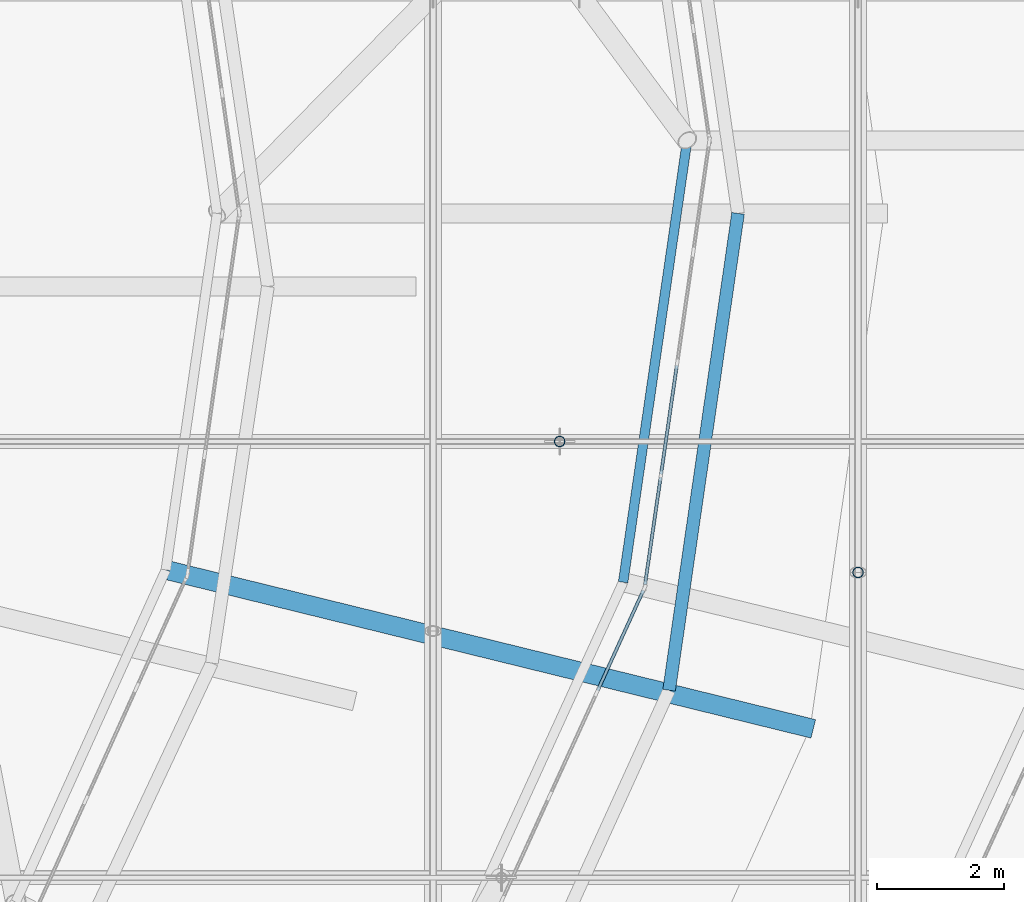
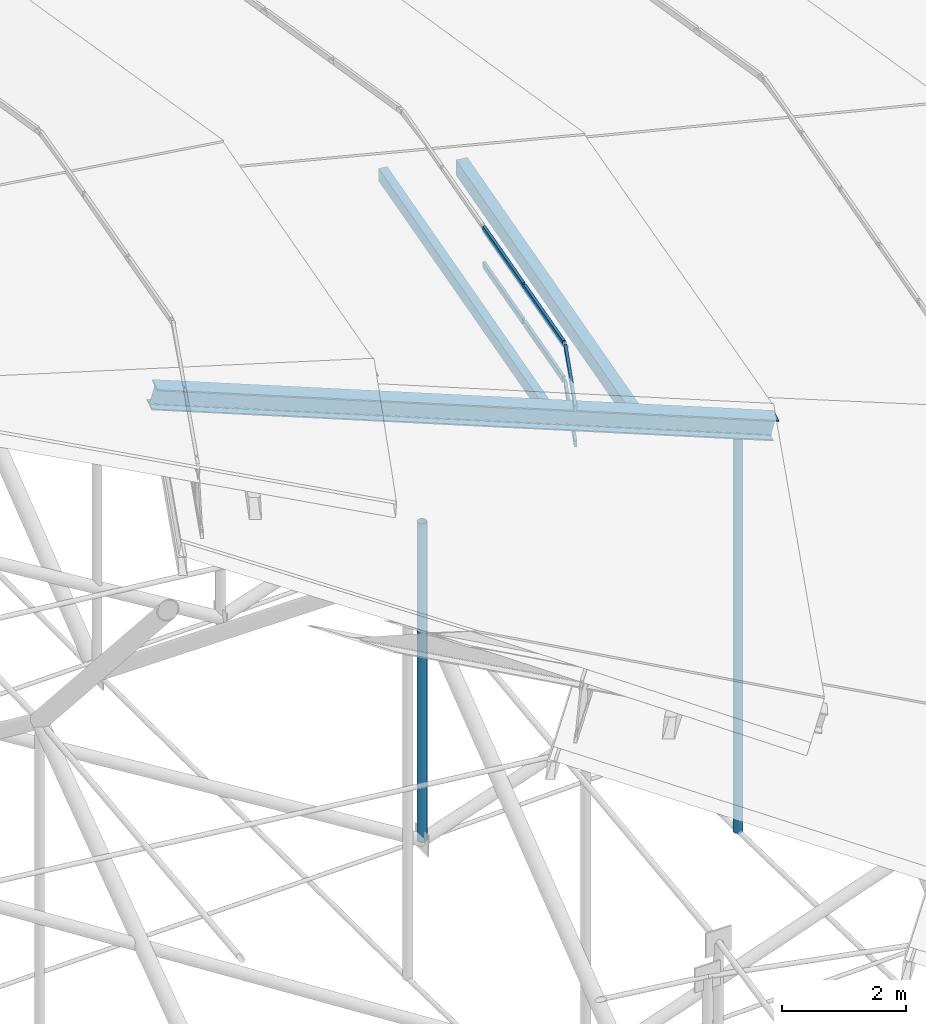
# One storey, part 85 of 173: 11 members, 2 elements without a shape of their own.
"""IFC4 building model written with IfcOpenShell, lengths in metres."""

from ifc_helpers import new_model, si_unit, direction, frame, origin, origin_2d, place, context, subcontext, project, spatial, rectangle, hollow_rectangle, hollow_circle, i_section, extrude, material, material_profile, profile_set, type_object, element, aggregate, save


model = new_model("IFC4")

# Units and contexts
model_context = context("Model", 3, precision=1e-05, world=origin(), true_north=direction((0.0, 1.0)))
body_context = subcontext(model_context, "Body", "Model", "MODEL_VIEW")
ifc_project = project(units=[si_unit("LENGTHUNIT", "METRE"), si_unit("AREAUNIT", "SQUARE_METRE"), si_unit("VOLUMEUNIT", "CUBIC_METRE"), si_unit("PLANEANGLEUNIT", "RADIAN"), si_unit("MASSUNIT", "GRAM", prefix="KILO")], contexts=[model_context])

# Site, building, storey
site_placement = place(None, origin())
site = spatial("IfcSite", under=ifc_project, at=site_placement, CompositionType="ELEMENT")
building_placement = place(site_placement, origin())
building = spatial("IfcBuilding", under=site, at=building_placement, Name="Glasvene Arena", CompositionType="ELEMENT")
storey_placement = place(building_placement, frame((0.0, 0.0, 28.800048828125)))
storey = spatial("IfcBuildingStorey", under=building, at=storey_placement, Name="RF", CompositionType="ELEMENT", Elevation=28.800048828125)

# Curtain wall, members
ifc_material_1 = material(Name="Low-emissivity laminated double glazing", Category="glass")
curtain_wall_type_1 = type_object("IfcCurtainWallType", Name="CW-PET3-721x75", PredefinedType="USERDEFINED", material=ifc_material_1)
curtain_wall_1_placement = place(storey_placement, frame((115.03759765625, 57.10009765625, 0.0)))
curtain_wall_1 = element("IfcCurtainWall", 1, at=curtain_wall_1_placement, inside=storey, type_object=curtain_wall_type_1, Name="Petal ring 3-4 clerestory curtain wall 23", ObjectType="CURTAIN WALL", PredefinedType="USERDEFINED")
ifc_material_2 = material(Name="Anodised architectural aluminium", Category="aluminium")
ifc_material_profile_1 = material_profile(ifc_material_2, rectangle(XDim=0.050048828125, YDim=0.1201171875, at=origin_2d()), Name="ALU TRANSOM 50x120")
ifc_profile_set_1 = profile_set([ifc_material_profile_1], Name="Anodised architectural aluminium")
member_type_1 = type_object("IfcMemberType", Name="CW-TRN-120", PredefinedType="USERDEFINED", material=ifc_profile_set_1)
member_1_placement = place(storey_placement, frame((117.2919921875, 62.042724609375, 7.85498046875), z_axis=(0.41493129329, 0.909852747344, 0.0), x_axis=(-0.909852747344, 0.41493129329, 0.0)))
member_1 = element("IfcMember", 2, at=member_1_placement, type_object=member_type_1, Name="CW-094 transom 4.1", ObjectType="TRANSOM", PredefinedType="USERDEFINED", context=body_context, shape_type="SweptSolid", body=[
    extrude(rectangle(XDim=0.050048828125, YDim=0.1201171875, at=origin_2d()), origin(), (0.0, 0.0, 1.0), 1.7275390625),
])
member_2_placement = place(storey_placement, frame((117.2919921875, 62.042724609375, 8.554931640625), z_axis=(0.41493129329, 0.909852747344, 0.0), x_axis=(-0.909852747344, 0.41493129329, 0.0)))
member_2 = element("IfcMember", 3, at=member_2_placement, type_object=member_type_1, Name="CW-094 transom 4.2", ObjectType="TRANSOM", PredefinedType="USERDEFINED", context=body_context, shape_type="SweptSolid", body=[
    extrude(rectangle(XDim=0.050048828125, YDim=0.1201171875, at=origin_2d()), origin(), (0.0, 0.0, 1.0), 1.7275390625),
])
aggregate(curtain_wall_1, [member_1, member_2])

curtain_wall_type_2 = type_object("IfcCurtainWallType", Name="CW-PET3-711x75", PredefinedType="USERDEFINED", material=ifc_material_1)
curtain_wall_2_placement = place(storey_placement, frame((118.029541015625, 63.66015625, 0.0)))
curtain_wall_2 = element("IfcCurtainWall", 4, at=curtain_wall_2_placement, inside=storey, type_object=curtain_wall_type_2, Name="Petal ring 3-4 clerestory curtain wall 24", ObjectType="CURTAIN WALL", PredefinedType="USERDEFINED")
member_3_placement = place(storey_placement, frame((118.03662109375, 63.70947265625, 7.85498046875), z_axis=(0.143467726456, 0.989654996181, 0.0), x_axis=(-0.989654996181, 0.143467726456, 0.0)))
member_3 = element("IfcMember", 5, at=member_3_placement, type_object=member_type_1, Name="CW-093 transom 1.1", ObjectType="TRANSOM", PredefinedType="USERDEFINED", context=body_context, shape_type="SweptSolid", body=[
    extrude(rectangle(XDim=0.050048828125, YDim=0.1201171875, at=origin_2d()), origin(), (0.0, 0.0, 1.0), 1.703369140625),
])
member_4_placement = place(storey_placement, frame((118.03662109375, 63.70947265625, 8.554931640625), z_axis=(0.143467726456, 0.989654996181, 0.0), x_axis=(-0.989654996181, 0.143467726456, 0.0)))
member_4 = element("IfcMember", 6, at=member_4_placement, type_object=member_type_1, Name="CW-093 transom 1.2", ObjectType="TRANSOM", PredefinedType="USERDEFINED", context=body_context, shape_type="SweptSolid", body=[
    extrude(rectangle(XDim=0.050048828125, YDim=0.1201171875, at=origin_2d()), origin(), (0.0, 0.0, 1.0), 1.703369140625),
])
member_5_placement = place(storey_placement, frame((118.288330078125, 65.44482421875, 7.85498046875), z_axis=(0.143378943854, 0.989667862699, 0.0), x_axis=(-0.989667862699, 0.143378943854, 0.0)))
member_5 = element("IfcMember", 7, at=member_5_placement, type_object=member_type_1, Name="CW-093 transom 2.1", ObjectType="TRANSOM", PredefinedType="USERDEFINED", context=body_context, shape_type="SweptSolid", body=[
    extrude(rectangle(XDim=0.050048828125, YDim=0.1201171875, at=origin_2d()), origin(), (0.0, 0.0, 1.0), 1.728271484375),
])
member_6_placement = place(storey_placement, frame((118.288330078125, 65.44482421875, 8.554931640625), z_axis=(0.143378943854, 0.989667862699, 0.0), x_axis=(-0.989667862699, 0.143378943854, 0.0)))
member_6 = element("IfcMember", 8, at=member_6_placement, type_object=member_type_1, Name="CW-093 transom 2.2", ObjectType="TRANSOM", PredefinedType="USERDEFINED", context=body_context, shape_type="SweptSolid", body=[
    extrude(rectangle(XDim=0.050048828125, YDim=0.1201171875, at=origin_2d()), origin(), (0.0, 0.0, 1.0), 1.728271484375),
])
aggregate(curtain_wall_2, [member_3, member_4, member_5, member_6])

# Members
ifc_material_3 = material(Name="Steel S355J2", Category="steel")
ifc_material_profile_2 = material_profile(ifc_material_3, i_section(OverallWidth=0.300048828125, OverallDepth=0.39990234375, WebThickness=0.013427734375, FlangeThickness=0.02392578125, FilletRadius=0.027099609375, at=origin_2d()), Name="HEB 400")
ifc_profile_set_2 = profile_set([ifc_material_profile_2], Name="Steel S355J2")
member_type_2 = type_object("IfcMemberType", Name="MB-CHORD-HEB400", PredefinedType="CHORD", material=ifc_profile_set_2)
member_7_placement = place(storey_placement, frame((120.636474609375, 61.448974609375, 7.39990234375), z_axis=(-0.941311100722, 0.231164235842, 0.245960378363), x_axis=(-0.2384906979, -0.971144781696, 0.0)))
element("IfcMember", 9, at=member_7_placement, inside=storey, type_object=member_type_2, Name="Petal ring 4 radial rib 24", PredefinedType="CHORD", context=body_context, shape_type="SweptSolid", body=[
    extrude(i_section(OverallWidth=0.300048828125, OverallDepth=0.39990234375, WebThickness=0.013427734375, FlangeThickness=0.02392578125, FilletRadius=0.027099609375, at=origin_2d()), origin(), (0.0, 0.0, 1.0), 10.774658203125),
])
ifc_material_profile_3 = material_profile(ifc_material_3, hollow_rectangle(XDim=0.14990234375, YDim=0.25, WallThickness=0.010009765625, at=origin_2d()), Name="RHS 250x150x10.0")
ifc_profile_set_3 = profile_set([ifc_material_profile_3], Name="Steel S355J2")
member_type_3 = type_object("IfcMemberType", Name="MB-PURLIN-RHS250", PredefinedType="PURLIN", material=ifc_profile_set_3)
member_8_placement = place(storey_placement, frame((117.69140625, 63.745849609375, 7.431884765625), z_axis=(0.143527213772, 0.989646370633, 0.0), x_axis=(-0.989646370633, 0.143527213772, 0.0)))
element("IfcMember", 10, at=member_8_placement, inside=storey, type_object=member_type_3, Name="Petal ring 3 ridge purlin 24", PredefinedType="PURLIN", context=body_context, shape_type="SweptSolid", body=[
    extrude(hollow_rectangle(XDim=0.14990234375, YDim=0.25, WallThickness=0.010009765625, at=origin_2d()), origin(), (0.0, 0.0, 1.0), 7.02685546875),
])
ifc_material_profile_4 = material_profile(ifc_material_3, hollow_rectangle(XDim=0.199951171875, YDim=0.300048828125, WallThickness=0.012451171875, at=origin_2d()), Name="RHS 300x200x12.5")
ifc_profile_set_4 = profile_set([ifc_material_profile_4], Name="Steel S355J2")
member_type_4 = type_object("IfcMemberType", Name="MB-PURLIN-RHS300", PredefinedType="PURLIN", material=ifc_profile_set_4)
member_9_placement = place(storey_placement, frame((118.414794921875, 62.044189453125, 8.00048828125), z_axis=(0.143093204238, 0.989709217347, 0.0), x_axis=(-0.989709217347, 0.143093204238, 0.0)))
element("IfcMember", 11, at=member_9_placement, inside=storey, type_object=member_type_4, Name="Petal ring 4 outer purlin 24", PredefinedType="PURLIN", context=body_context, shape_type="SweptSolid", body=[
    extrude(hollow_rectangle(XDim=0.199951171875, YDim=0.300048828125, WallThickness=0.012451171875, at=origin_2d()), origin(), (0.0, 0.0, 1.0), 7.583984375),
])
ifc_material_profile_5 = material_profile(ifc_material_3, hollow_circle(Radius=0.084228515625, WallThickness=0.008056640625, at=origin_2d()), Name="CHS 168.3x8.0")
ifc_profile_set_5 = profile_set([ifc_material_profile_5], Name="Steel S355J2")
member_type_5 = type_object("IfcMemberType", Name="MB-WEB-CHS168", PredefinedType="BRACE", material=ifc_profile_set_5)
member_10_placement = place(storey_placement, frame((121.389404296875, 63.898681640625, -2.328125), z_axis=(0.0, 0.0, 1.0), x_axis=(1.0, 0.0, 0.0)))
element("IfcMember", 12, at=member_10_placement, inside=storey, type_object=member_type_5, Name="Cable-truss vertical strut NS01-03", PredefinedType="BRACE", context=body_context, shape_type="SweptSolid", body=[
    extrude(hollow_circle(Radius=0.084228515625, WallThickness=0.008056640625, at=origin_2d()), origin(), (0.0, 0.0, 1.0), 8.0185546875),
])
member_11_placement = place(storey_placement, frame((116.692138671875, 65.96044921875, -2.112548828125), z_axis=(0.0, 0.0, 1.0), x_axis=(1.0, 0.0, 0.0)))
element("IfcMember", 13, at=member_11_placement, inside=storey, type_object=member_type_5, Name="Cable-truss vertical strut EW03-06", PredefinedType="BRACE", context=body_context, shape_type="SweptSolid", body=[
    extrude(hollow_circle(Radius=0.084228515625, WallThickness=0.008056640625, at=origin_2d()), origin(), (0.0, 0.0, 1.0), 6.279541015625),
])

save(model, "model.ifc")
